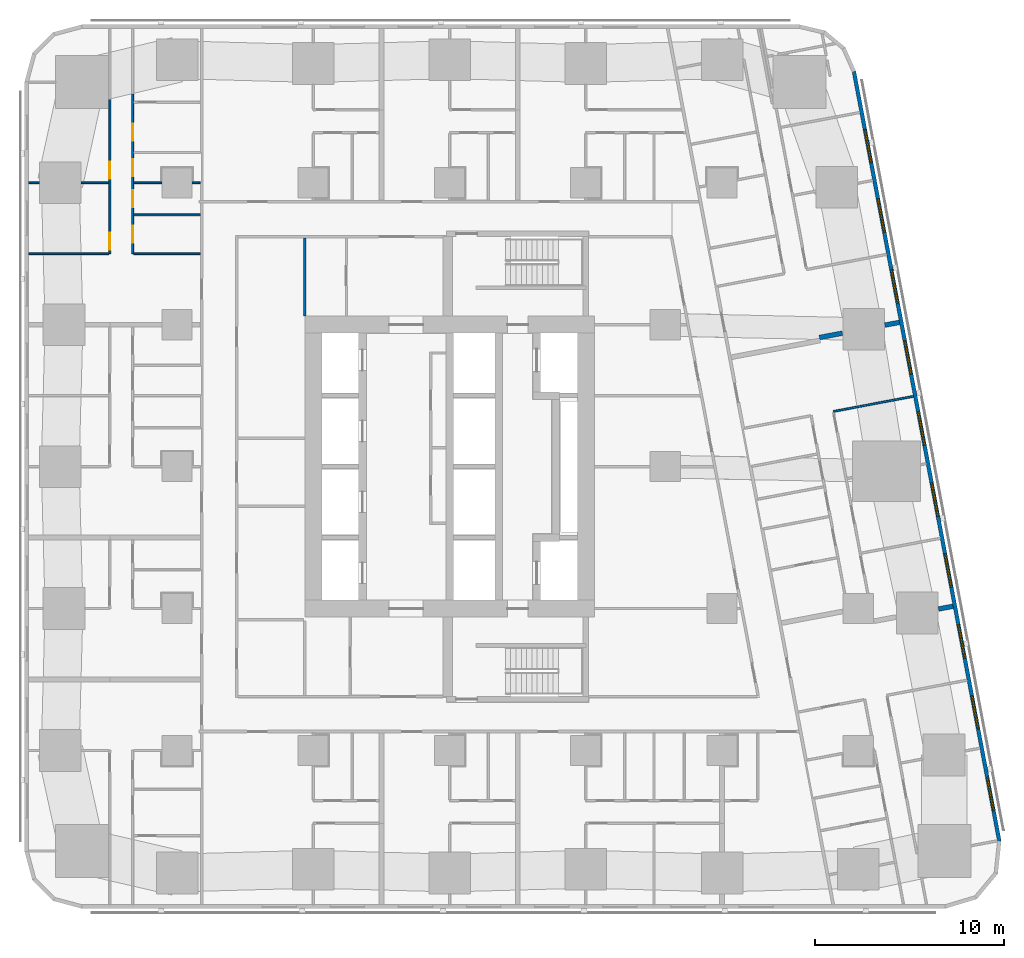
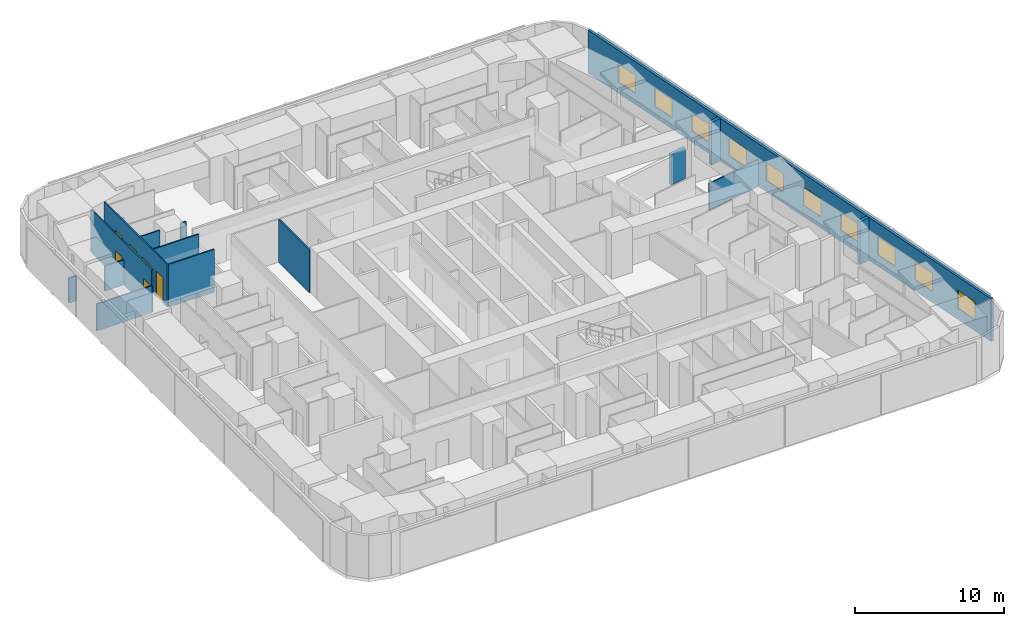
# One storey, part 9 of 16: 15 walls, 10 windows, 6 doors, 16 openings.
"""IFC4 building model written with IfcOpenShell, lengths in metres."""

from ifc_helpers import new_model, si_unit, direction, frame, frame_2d, origin, place, context, subcontext, project, spatial, rectangle, extrude, material, layer, layer_set, type_object, element, fill, save


model = new_model("IFC4")

# Units and contexts
model_context = context("Model", 3, precision=1e-05, world=origin(), true_north=direction((0.0, 1.0)))
body_context = subcontext(model_context, "Body", "Model", "MODEL_VIEW")
ifc_project = project(units=[si_unit("LENGTHUNIT", "METRE"), si_unit("AREAUNIT", "SQUARE_METRE"), si_unit("VOLUMEUNIT", "CUBIC_METRE"), si_unit("PLANEANGLEUNIT", "RADIAN"), si_unit("MASSUNIT", "GRAM", prefix="KILO")], contexts=[model_context])

# Site, building, storey
site_placement = place(None, origin())
site = spatial("IfcSite", under=ifc_project, at=site_placement, CompositionType="ELEMENT")
building_placement = place(site_placement, origin())
building = spatial("IfcBuilding", under=site, at=building_placement, Name="Sheger Commons Tower", CompositionType="ELEMENT")
storey_placement = place(building_placement, frame((0.0, 0.0, 89.14990234375)))
storey = spatial("IfcBuildingStorey", under=building, at=storey_placement, Name="L22", CompositionType="ELEMENT", Elevation=89.14990234375)

# Walls
ifc_material_1 = material(Name="Dense concrete block masonry, plastered both sides (separating wall between flats)", Category="masonry")
ifc_layer_1 = layer(ifc_material_1, 0.25)
ifc_layer_set_1 = layer_set([ifc_layer_1], Name="DEMISING WALL 250")
wall_type_1 = type_object("IfcWallType", Name="DEMISING WALL 250", PredefinedType="SOLIDWALL", material=ifc_layer_set_1)
wall_1_placement = place(storey_placement, frame((45.3720703125, 30.12109375, 0.0), z_axis=(0.0, 0.0, 1.0), x_axis=(-0.982638023929, -0.185533053469, 0.0)))
element("IfcWall", 1, at=wall_1_placement, inside=storey, type_object=wall_type_1, Name="Demising wall L22", PredefinedType="SOLIDWALL", context=body_context, shape_type="SweptSolid", body=[
    extrude(rectangle(XDim=0.78173828125, YDim=0.25, at=frame_2d((0.390869140625, 0.0))), origin(), (0.0, 0.0, 1.0), 3.5),
])
wall_2_placement = place(storey_placement, frame((42.35595703125, 29.551025390625, 0.0), z_axis=(0.0, 0.0, 1.0), x_axis=(-0.982529084329, -0.186109103615, 0.0)))
element("IfcWall", 2, at=wall_2_placement, inside=storey, type_object=wall_type_1, Name="Demising wall L22", PredefinedType="SOLIDWALL", context=body_context, shape_type="SweptSolid", body=[
    extrude(rectangle(XDim=1.23046875, YDim=0.25, at=frame_2d((0.615234375, 0.0))), origin(), (0.0, 0.0, 1.0), 2.5),
])
wall_3_placement = place(storey_placement, frame((48.2060546875, 15.1201171875, 0.0), z_axis=(0.0, 0.0, 1.0), x_axis=(-0.982638023929, -0.185533053469, 0.0)))
element("IfcWall", 3, at=wall_3_placement, inside=storey, type_object=wall_type_1, Name="Demising wall L22", PredefinedType="SOLIDWALL", context=body_context, shape_type="SweptSolid", body=[
    extrude(rectangle(XDim=0.78173828125, YDim=0.25, at=frame_2d((0.390869140625, 0.0))), origin(), (0.0, 0.0, 1.0), 3.5),
])

# Wall, openings, windows
ifc_material_2 = material(Name="Rendered concrete block masonry, dark grey", Category="masonry")
ifc_layer_2 = layer(ifc_material_2, 0.199951171875)
ifc_layer_set_2 = layer_set([ifc_layer_2], Name="FACADE WALL 200")
wall_type_2 = type_object("IfcWallType", Name="FACADE WALL 200", PredefinedType="SOLIDWALL", material=ifc_layer_set_2)
wall_4_placement = place(storey_placement, frame((50.653076171875, 2.702880859375, 0.0), z_axis=(0.0, 0.0, 1.0), x_axis=(-0.185612026696, 0.982623109613, 0.0)))
wall_4 = element("IfcWall", 4, at=wall_4_placement, inside=storey, type_object=wall_type_2, Name="Facade wall L22", PredefinedType="SOLIDWALL", context=body_context, shape_type="SweptSolid", body=[
    extrude(rectangle(XDim=41.393310546875, YDim=0.199951171875, at=frame_2d((20.69677734375, 0.0))), origin(), (0.0, 0.0, 1.0), 3.5),
])
opening_1_placement = place(wall_4_placement, frame((1.633056640625, 0.0, 0.89990234375)))
opening_1 = element("IfcOpeningElement", 5, at=opening_1_placement, cuts=wall_4, Name="Opening W2", PredefinedType="OPENING", context=body_context, shape_type="SweptSolid", body=[
    extrude(rectangle(XDim=1.800048828125, YDim=1.5, at=frame_2d((0.89990234375, 0.75))), frame((0.0, 0.10986328125, 0.0), z_axis=(0.0, -1.0, 0.0), x_axis=(1.0, 0.0, 0.0)), (0.0, 0.0, 1.0), 0.219970703125),
])
opening_2_placement = place(wall_4_placement, frame((6.031982421875, 0.0, 0.89990234375)))
opening_2 = element("IfcOpeningElement", 6, at=opening_2_placement, cuts=wall_4, Name="Opening W2", PredefinedType="OPENING", context=body_context, shape_type="SweptSolid", body=[
    extrude(rectangle(XDim=1.800048828125, YDim=1.5, at=frame_2d((0.89990234375, 0.75))), frame((0.0, 0.10986328125, 0.0), z_axis=(0.0, -1.0, 0.0), x_axis=(1.0, 0.0, 0.0)), (0.0, 0.0, 1.0), 0.219970703125),
])
opening_3_placement = place(wall_4_placement, frame((9.847900390625, 0.0, 0.89990234375)))
opening_3 = element("IfcOpeningElement", 7, at=opening_3_placement, cuts=wall_4, Name="Opening W2", PredefinedType="OPENING", context=body_context, shape_type="SweptSolid", body=[
    extrude(rectangle(XDim=1.800048828125, YDim=1.5, at=frame_2d((0.89990234375, 0.75))), frame((0.0, 0.10986328125, 0.0), z_axis=(0.0, -1.0, 0.0), x_axis=(1.0, 0.0, 0.0)), (0.0, 0.0, 1.0), 0.219970703125),
])
opening_4_placement = place(wall_4_placement, frame((13.6640625, 0.0, 0.89990234375)))
opening_4 = element("IfcOpeningElement", 8, at=opening_4_placement, cuts=wall_4, Name="Opening W2", PredefinedType="OPENING", context=body_context, shape_type="SweptSolid", body=[
    extrude(rectangle(XDim=1.800048828125, YDim=1.5, at=frame_2d((0.89990234375, 0.75))), frame((0.0, 0.10986328125, 0.0), z_axis=(0.0, -1.0, 0.0), x_axis=(1.0, 0.0, 0.0)), (0.0, 0.0, 1.0), 0.219970703125),
])
opening_5_placement = place(wall_4_placement, frame((17.48095703125, 0.0, 0.89990234375)))
opening_5 = element("IfcOpeningElement", 9, at=opening_5_placement, cuts=wall_4, Name="Opening W2", PredefinedType="OPENING", context=body_context, shape_type="SweptSolid", body=[
    extrude(rectangle(XDim=1.800048828125, YDim=1.5, at=frame_2d((0.89990234375, 0.75))), frame((0.0, 0.10986328125, 0.0), z_axis=(0.0, -1.0, 0.0), x_axis=(1.0, 0.0, 0.0)), (0.0, 0.0, 1.0), 0.219970703125),
])
opening_6_placement = place(wall_4_placement, frame((21.297119140625, 0.0, 0.89990234375)))
opening_6 = element("IfcOpeningElement", 10, at=opening_6_placement, cuts=wall_4, Name="Opening W2", PredefinedType="OPENING", context=body_context, shape_type="SweptSolid", body=[
    extrude(rectangle(XDim=1.800048828125, YDim=1.5, at=frame_2d((0.89990234375, 0.75))), frame((0.0, 0.10986328125, 0.0), z_axis=(0.0, -1.0, 0.0), x_axis=(1.0, 0.0, 0.0)), (0.0, 0.0, 1.0), 0.219970703125),
])
opening_7_placement = place(wall_4_placement, frame((25.113037109375, 0.0, 0.89990234375)))
opening_7 = element("IfcOpeningElement", 11, at=opening_7_placement, cuts=wall_4, Name="Opening W2", PredefinedType="OPENING", context=body_context, shape_type="SweptSolid", body=[
    extrude(rectangle(XDim=1.800048828125, YDim=1.5, at=frame_2d((0.89990234375, 0.75))), frame((0.0, 0.10986328125, 0.0), z_axis=(0.0, -1.0, 0.0), x_axis=(1.0, 0.0, 0.0)), (0.0, 0.0, 1.0), 0.219970703125),
])
opening_8_placement = place(wall_4_placement, frame((28.929931640625, 0.0, 0.89990234375)))
opening_8 = element("IfcOpeningElement", 12, at=opening_8_placement, cuts=wall_4, Name="Opening W2", PredefinedType="OPENING", context=body_context, shape_type="SweptSolid", body=[
    extrude(rectangle(XDim=1.800048828125, YDim=1.5, at=frame_2d((0.89990234375, 0.75))), frame((0.0, 0.10986328125, 0.0), z_axis=(0.0, -1.0, 0.0), x_axis=(1.0, 0.0, 0.0)), (0.0, 0.0, 1.0), 0.219970703125),
])
opening_9_placement = place(wall_4_placement, frame((32.74609375, 0.0, 0.89990234375)))
opening_9 = element("IfcOpeningElement", 13, at=opening_9_placement, cuts=wall_4, Name="Opening W2", PredefinedType="OPENING", context=body_context, shape_type="SweptSolid", body=[
    extrude(rectangle(XDim=1.800048828125, YDim=1.5, at=frame_2d((0.89990234375, 0.75))), frame((0.0, 0.10986328125, 0.0), z_axis=(0.0, -1.0, 0.0), x_axis=(1.0, 0.0, 0.0)), (0.0, 0.0, 1.0), 0.219970703125),
])
opening_10_placement = place(wall_4_placement, frame((36.48095703125, 0.0, 0.89990234375)))
opening_10 = element("IfcOpeningElement", 14, at=opening_10_placement, cuts=wall_4, Name="Opening W2", PredefinedType="OPENING", context=body_context, shape_type="SweptSolid", body=[
    extrude(rectangle(XDim=1.800048828125, YDim=1.5, at=frame_2d((0.89990234375, 0.75))), frame((0.0, 0.10986328125, 0.0), z_axis=(0.0, -1.0, 0.0), x_axis=(1.0, 0.0, 0.0)), (0.0, 0.0, 1.0), 0.219970703125),
])
ifc_material_3 = material(Name="Black aluminium frame, dark tinted double glazing", Category="aluminium")
window_type = type_object("IfcWindowType", Name="WINDOW W2 1800x1500", PartitioningType="SINGLE_PANEL", PredefinedType="WINDOW", material=ifc_material_3)
window_1_placement = place(opening_1_placement, origin())
window_1 = element("IfcWindow", 15, at=window_1_placement, inside=storey, type_object=window_type, Name="Window W2 1800X1500", OverallHeight=1.5, OverallWidth=1.800048828125, PartitioningType="SINGLE_PANEL", PredefinedType="WINDOW", context=body_context, shape_type="SweptSolid", body=[
    extrude(rectangle(XDim=1.800048828125, YDim=1.5, at=frame_2d((0.89990234375, 0.75))), frame((0.0, 0.030029296875, 0.0), z_axis=(0.0, -1.0, 0.0), x_axis=(1.0, 0.0, 0.0)), (0.0, 0.0, 1.0), 0.06005859375),
])
fill(opening_1, window_1)
window_2_placement = place(opening_2_placement, origin())
window_2 = element("IfcWindow", 16, at=window_2_placement, inside=storey, type_object=window_type, Name="Window W2 1800X1500", OverallHeight=1.5, OverallWidth=1.800048828125, PartitioningType="SINGLE_PANEL", PredefinedType="WINDOW", context=body_context, shape_type="SweptSolid", body=[
    extrude(rectangle(XDim=1.800048828125, YDim=1.5, at=frame_2d((0.89990234375, 0.75))), frame((0.0, 0.030029296875, 0.0), z_axis=(0.0, -1.0, 0.0), x_axis=(1.0, 0.0, 0.0)), (0.0, 0.0, 1.0), 0.06005859375),
])
fill(opening_2, window_2)
window_3_placement = place(opening_3_placement, origin())
window_3 = element("IfcWindow", 17, at=window_3_placement, inside=storey, type_object=window_type, Name="Window W2 1800X1500", OverallHeight=1.5, OverallWidth=1.800048828125, PartitioningType="SINGLE_PANEL", PredefinedType="WINDOW", context=body_context, shape_type="SweptSolid", body=[
    extrude(rectangle(XDim=1.800048828125, YDim=1.5, at=frame_2d((0.89990234375, 0.75))), frame((0.0, 0.030029296875, 0.0), z_axis=(0.0, -1.0, 0.0), x_axis=(1.0, 0.0, 0.0)), (0.0, 0.0, 1.0), 0.06005859375),
])
fill(opening_3, window_3)
window_4_placement = place(opening_4_placement, origin())
window_4 = element("IfcWindow", 18, at=window_4_placement, inside=storey, type_object=window_type, Name="Window W2 1800X1500", OverallHeight=1.5, OverallWidth=1.800048828125, PartitioningType="SINGLE_PANEL", PredefinedType="WINDOW", context=body_context, shape_type="SweptSolid", body=[
    extrude(rectangle(XDim=1.800048828125, YDim=1.5, at=frame_2d((0.89990234375, 0.75))), frame((0.0, 0.030029296875, 0.0), z_axis=(0.0, -1.0, 0.0), x_axis=(1.0, 0.0, 0.0)), (0.0, 0.0, 1.0), 0.06005859375),
])
fill(opening_4, window_4)
window_5_placement = place(opening_5_placement, origin())
window_5 = element("IfcWindow", 19, at=window_5_placement, inside=storey, type_object=window_type, Name="Window W2 1800X1500", OverallHeight=1.5, OverallWidth=1.800048828125, PartitioningType="SINGLE_PANEL", PredefinedType="WINDOW", context=body_context, shape_type="SweptSolid", body=[
    extrude(rectangle(XDim=1.800048828125, YDim=1.5, at=frame_2d((0.89990234375, 0.75))), frame((0.0, 0.030029296875, 0.0), z_axis=(0.0, -1.0, 0.0), x_axis=(1.0, 0.0, 0.0)), (0.0, 0.0, 1.0), 0.06005859375),
])
fill(opening_5, window_5)
window_6_placement = place(opening_6_placement, origin())
window_6 = element("IfcWindow", 20, at=window_6_placement, inside=storey, type_object=window_type, Name="Window W2 1800X1500", OverallHeight=1.5, OverallWidth=1.800048828125, PartitioningType="SINGLE_PANEL", PredefinedType="WINDOW", context=body_context, shape_type="SweptSolid", body=[
    extrude(rectangle(XDim=1.800048828125, YDim=1.5, at=frame_2d((0.89990234375, 0.75))), frame((0.0, 0.030029296875, 0.0), z_axis=(0.0, -1.0, 0.0), x_axis=(1.0, 0.0, 0.0)), (0.0, 0.0, 1.0), 0.06005859375),
])
fill(opening_6, window_6)
window_7_placement = place(opening_7_placement, origin())
window_7 = element("IfcWindow", 21, at=window_7_placement, inside=storey, type_object=window_type, Name="Window W2 1800X1500", OverallHeight=1.5, OverallWidth=1.800048828125, PartitioningType="SINGLE_PANEL", PredefinedType="WINDOW", context=body_context, shape_type="SweptSolid", body=[
    extrude(rectangle(XDim=1.800048828125, YDim=1.5, at=frame_2d((0.89990234375, 0.75))), frame((0.0, 0.030029296875, 0.0), z_axis=(0.0, -1.0, 0.0), x_axis=(1.0, 0.0, 0.0)), (0.0, 0.0, 1.0), 0.06005859375),
])
fill(opening_7, window_7)
window_8_placement = place(opening_8_placement, origin())
window_8 = element("IfcWindow", 22, at=window_8_placement, inside=storey, type_object=window_type, Name="Window W2 1800X1500", OverallHeight=1.5, OverallWidth=1.800048828125, PartitioningType="SINGLE_PANEL", PredefinedType="WINDOW", context=body_context, shape_type="SweptSolid", body=[
    extrude(rectangle(XDim=1.800048828125, YDim=1.5, at=frame_2d((0.89990234375, 0.75))), frame((0.0, 0.030029296875, 0.0), z_axis=(0.0, -1.0, 0.0), x_axis=(1.0, 0.0, 0.0)), (0.0, 0.0, 1.0), 0.06005859375),
])
fill(opening_8, window_8)
window_9_placement = place(opening_9_placement, origin())
window_9 = element("IfcWindow", 23, at=window_9_placement, inside=storey, type_object=window_type, Name="Window W2 1800X1500", OverallHeight=1.5, OverallWidth=1.800048828125, PartitioningType="SINGLE_PANEL", PredefinedType="WINDOW", context=body_context, shape_type="SweptSolid", body=[
    extrude(rectangle(XDim=1.800048828125, YDim=1.5, at=frame_2d((0.89990234375, 0.75))), frame((0.0, 0.030029296875, 0.0), z_axis=(0.0, -1.0, 0.0), x_axis=(1.0, 0.0, 0.0)), (0.0, 0.0, 1.0), 0.06005859375),
])
fill(opening_9, window_9)
window_10_placement = place(opening_10_placement, origin())
window_10 = element("IfcWindow", 24, at=window_10_placement, inside=storey, type_object=window_type, Name="Window W2 1800X1500", OverallHeight=1.5, OverallWidth=1.800048828125, PartitioningType="SINGLE_PANEL", PredefinedType="WINDOW", context=body_context, shape_type="SweptSolid", body=[
    extrude(rectangle(XDim=1.800048828125, YDim=1.5, at=frame_2d((0.89990234375, 0.75))), frame((0.0, 0.030029296875, 0.0), z_axis=(0.0, -1.0, 0.0), x_axis=(1.0, 0.0, 0.0)), (0.0, 0.0, 1.0), 0.06005859375),
])
fill(opening_10, window_10)

# Wall, openings, doors
ifc_material_4 = material(Name="Gypsum board on steel studs", Category="steel")
ifc_layer_3 = layer(ifc_material_4, 0.10009765625)
ifc_layer_set_3 = layer_set([ifc_layer_3], Name="PARTITION 100")
wall_type_3 = type_object("IfcWallType", Name="PARTITION 100", PredefinedType="PARTITIONING", material=ifc_layer_set_3)
wall_5_placement = place(storey_placement, frame((3.64990234375, 33.75, 0.0), z_axis=(0.0, 0.0, 1.0), x_axis=(0.0, 1.0, 0.0)))
wall_5 = element("IfcWall", 25, at=wall_5_placement, inside=storey, type_object=wall_type_3, Name="Partition L22", PredefinedType="PARTITIONING", context=body_context, shape_type="SweptSolid", body=[
    extrude(rectangle(XDim=8.1650390625, YDim=0.10009765625, at=frame_2d((4.08251953125, 0.0))), origin(), (0.0, 0.0, 1.0), 3.5),
])
opening_11_placement = place(wall_5_placement, frame((0.199951171875, 0.0, 0.0)))
opening_11 = element("IfcOpeningElement", 26, at=opening_11_placement, cuts=wall_5, Name="Opening D2", PredefinedType="OPENING", context=body_context, shape_type="SweptSolid", body=[
    extrude(rectangle(XDim=0.89990234375, YDim=2.10009765625, at=frame_2d((0.449951171875, 1.050048828125))), frame((0.0, 0.06005859375, 0.0), z_axis=(0.0, -1.0, 0.0), x_axis=(1.0, 0.0, 0.0)), (0.0, 0.0, 1.0), 0.1201171875),
])
opening_12_placement = place(wall_5_placement, frame((3.949951171875, 0.0, 0.0)))
opening_12 = element("IfcOpeningElement", 27, at=opening_12_placement, cuts=wall_5, Name="Opening D2", PredefinedType="OPENING", context=body_context, shape_type="SweptSolid", body=[
    extrude(rectangle(XDim=0.89990234375, YDim=2.10009765625, at=frame_2d((0.449951171875, 1.050048828125))), frame((0.0, 0.06005859375, 0.0), z_axis=(0.0, -1.0, 0.0), x_axis=(1.0, 0.0, 0.0)), (0.0, 0.0, 1.0), 0.1201171875),
])
ifc_material_5 = material(Name="Timber door set", Category="wood")
door_type = type_object("IfcDoorType", Name="INTERNAL DOOR 900x2100", OperationType="NOTDEFINED", PredefinedType="DOOR", material=ifc_material_5)
door_1_placement = place(opening_11_placement, origin())
door_1 = element("IfcDoor", 28, at=door_1_placement, inside=storey, type_object=door_type, Name="Main bedroom door", OperationType="SINGLE_SWING_LEFT", OverallHeight=2.10009765625, OverallWidth=0.89990234375, PredefinedType="DOOR", context=body_context, shape_type="SweptSolid", body=[
    extrude(rectangle(XDim=0.89990234375, YDim=2.10009765625, at=frame_2d((0.449951171875, 1.050048828125))), frame((0.0, 0.02490234375, 0.0), z_axis=(0.0, -1.0, 0.0), x_axis=(1.0, 0.0, 0.0)), (0.0, 0.0, 1.0), 0.050048828125),
])
fill(opening_11, door_1)
door_2_placement = place(opening_12_placement, origin())
door_2 = element("IfcDoor", 29, at=door_2_placement, inside=storey, type_object=door_type, Name="Bedroom 2 door", OperationType="SINGLE_SWING_LEFT", OverallHeight=2.10009765625, OverallWidth=0.89990234375, PredefinedType="DOOR", context=body_context, shape_type="SweptSolid", body=[
    extrude(rectangle(XDim=0.89990234375, YDim=2.10009765625, at=frame_2d((0.449951171875, 1.050048828125))), frame((0.0, 0.02490234375, 0.0), z_axis=(0.0, -1.0, 0.0), x_axis=(1.0, 0.0, 0.0)), (0.0, 0.0, 1.0), 0.050048828125),
])
fill(opening_12, door_2)

wall_6_placement = place(storey_placement, frame((4.85009765625, 33.75, 0.0), z_axis=(0.0, 0.0, 1.0), x_axis=(0.0, 1.0, 0.0)))
wall_6 = element("IfcWall", 30, at=wall_6_placement, inside=storey, type_object=wall_type_3, Name="Partition L22", PredefinedType="PARTITIONING", context=body_context, shape_type="SweptSolid", body=[
    extrude(rectangle(XDim=8.448974609375, YDim=0.10009765625, at=frame_2d((4.224609375, 0.0))), origin(), (0.0, 0.0, 1.0), 3.5),
])
opening_13_placement = place(wall_6_placement, frame((0.574951171875, 0.0, 0.0)))
opening_13 = element("IfcOpeningElement", 31, at=opening_13_placement, cuts=wall_6, Name="Opening D2", PredefinedType="OPENING", context=body_context, shape_type="SweptSolid", body=[
    extrude(rectangle(XDim=0.89990234375, YDim=2.10009765625, at=frame_2d((0.449951171875, 1.050048828125))), frame((0.0, 0.06005859375, 0.0), z_axis=(0.0, -1.0, 0.0), x_axis=(1.0, 0.0, 0.0)), (0.0, 0.0, 1.0), 0.1201171875),
])
opening_14_placement = place(wall_6_placement, frame((4.10009765625, 0.0, 0.0)))
opening_14 = element("IfcOpeningElement", 32, at=opening_14_placement, cuts=wall_6, Name="Opening D2", PredefinedType="OPENING", context=body_context, shape_type="SweptSolid", body=[
    extrude(rectangle(XDim=0.89990234375, YDim=2.10009765625, at=frame_2d((0.449951171875, 1.050048828125))), frame((0.0, 0.06005859375, 0.0), z_axis=(0.0, -1.0, 0.0), x_axis=(1.0, 0.0, 0.0)), (0.0, 0.0, 1.0), 0.1201171875),
])
opening_15_placement = place(wall_6_placement, frame((2.449951171875, 0.0, 0.0)))
opening_15 = element("IfcOpeningElement", 33, at=opening_15_placement, cuts=wall_6, Name="Opening D2", PredefinedType="OPENING", context=body_context, shape_type="SweptSolid", body=[
    extrude(rectangle(XDim=0.89990234375, YDim=2.10009765625, at=frame_2d((0.449951171875, 1.050048828125))), frame((0.0, 0.06005859375, 0.0), z_axis=(0.0, -1.0, 0.0), x_axis=(1.0, 0.0, 0.0)), (0.0, 0.0, 1.0), 0.1201171875),
])
opening_16_placement = place(wall_6_placement, frame((5.97509765625, 0.0, 0.0)))
opening_16 = element("IfcOpeningElement", 34, at=opening_16_placement, cuts=wall_6, Name="Opening D2", PredefinedType="OPENING", context=body_context, shape_type="SweptSolid", body=[
    extrude(rectangle(XDim=0.89990234375, YDim=2.10009765625, at=frame_2d((0.449951171875, 1.050048828125))), frame((0.0, 0.06005859375, 0.0), z_axis=(0.0, -1.0, 0.0), x_axis=(1.0, 0.0, 0.0)), (0.0, 0.0, 1.0), 0.1201171875),
])
door_3_placement = place(opening_13_placement, origin())
door_3 = element("IfcDoor", 35, at=door_3_placement, inside=storey, type_object=door_type, Name="Bathroom door", OperationType="SINGLE_SWING_RIGHT", OverallHeight=2.10009765625, OverallWidth=0.89990234375, PredefinedType="DOOR", context=body_context, shape_type="SweptSolid", body=[
    extrude(rectangle(XDim=0.89990234375, YDim=2.10009765625, at=frame_2d((0.449951171875, 1.050048828125))), frame((0.0, 0.02490234375, 0.0), z_axis=(0.0, -1.0, 0.0), x_axis=(1.0, 0.0, 0.0)), (0.0, 0.0, 1.0), 0.050048828125),
])
fill(opening_13, door_3)
door_4_placement = place(opening_14_placement, origin())
door_4 = element("IfcDoor", 36, at=door_4_placement, inside=storey, type_object=door_type, Name="Shower room door", OperationType="SINGLE_SWING_LEFT", OverallHeight=2.10009765625, OverallWidth=0.89990234375, PredefinedType="DOOR", context=body_context, shape_type="SweptSolid", body=[
    extrude(rectangle(XDim=0.89990234375, YDim=2.10009765625, at=frame_2d((0.449951171875, 1.050048828125))), frame((0.0, 0.02490234375, 0.0), z_axis=(0.0, -1.0, 0.0), x_axis=(1.0, 0.0, 0.0)), (0.0, 0.0, 1.0), 0.050048828125),
])
fill(opening_14, door_4)
door_5_placement = place(opening_15_placement, origin())
door_5 = element("IfcDoor", 37, at=door_5_placement, inside=storey, type_object=door_type, Name="Store door", OperationType="SINGLE_SWING_RIGHT", OverallHeight=2.10009765625, OverallWidth=0.89990234375, PredefinedType="DOOR", context=body_context, shape_type="SweptSolid", body=[
    extrude(rectangle(XDim=0.89990234375, YDim=2.10009765625, at=frame_2d((0.449951171875, 1.050048828125))), frame((0.0, 0.02490234375, 0.0), z_axis=(0.0, -1.0, 0.0), x_axis=(1.0, 0.0, 0.0)), (0.0, 0.0, 1.0), 0.050048828125),
])
fill(opening_15, door_5)
door_6_placement = place(opening_16_placement, origin())
door_6 = element("IfcDoor", 38, at=door_6_placement, inside=storey, type_object=door_type, Name="Store door", OperationType="SINGLE_SWING_RIGHT", OverallHeight=2.10009765625, OverallWidth=0.89990234375, PredefinedType="DOOR", context=body_context, shape_type="SweptSolid", body=[
    extrude(rectangle(XDim=0.89990234375, YDim=2.10009765625, at=frame_2d((0.449951171875, 1.050048828125))), frame((0.0, 0.02490234375, 0.0), z_axis=(0.0, -1.0, 0.0), x_axis=(1.0, 0.0, 0.0)), (0.0, 0.0, 1.0), 0.050048828125),
])
fill(opening_16, door_6)

# Walls
wall_7_placement = place(storey_placement, frame((-0.64990234375, 33.75, 0.0), z_axis=(0.0, 0.0, 1.0), x_axis=(1.0, 0.0, 0.0)))
element("IfcWall", 39, at=wall_7_placement, inside=storey, type_object=wall_type_3, Name="Partition L22", PredefinedType="PARTITIONING", context=body_context, shape_type="SweptSolid", body=[
    extrude(rectangle(XDim=4.25, YDim=0.10009765625, at=frame_2d((2.125, 0.0))), origin(), (0.0, 0.0, 1.0), 2.2001953125),
])
wall_8_placement = place(storey_placement, frame((-0.64990234375, 37.5, 0.0), z_axis=(0.0, 0.0, 1.0), x_axis=(1.0, 0.0, 0.0)))
element("IfcWall", 40, at=wall_8_placement, inside=storey, type_object=wall_type_3, Name="Partition L22", PredefinedType="PARTITIONING", context=body_context, shape_type="SweptSolid", body=[
    extrude(rectangle(XDim=0.573974609375, YDim=0.10009765625, at=frame_2d((0.287109375, 0.0))), origin(), (0.0, 0.0, 1.0), 2.050048828125),
])
wall_9_placement = place(storey_placement, frame((2.1259765625, 37.5, 0.0), z_axis=(0.0, 0.0, 1.0), x_axis=(1.0, 0.0, 0.0)))
element("IfcWall", 41, at=wall_9_placement, inside=storey, type_object=wall_type_3, Name="Partition L22", PredefinedType="PARTITIONING", context=body_context, shape_type="SweptSolid", body=[
    extrude(rectangle(XDim=1.47412109375, YDim=0.10009765625, at=frame_2d((0.737060546875, 0.0))), origin(), (0.0, 0.0, 1.0), 2.050048828125),
])
wall_10_placement = place(storey_placement, frame((4.89990234375, 33.75, 0.0), z_axis=(0.0, 0.0, 1.0), x_axis=(1.0, 0.0, 0.0)))
element("IfcWall", 42, at=wall_10_placement, inside=storey, type_object=wall_type_3, Name="Partition L22", PredefinedType="PARTITIONING", context=body_context, shape_type="SweptSolid", body=[
    extrude(rectangle(XDim=3.525146484375, YDim=0.10009765625, at=frame_2d((1.7626953125, 0.0))), origin(), (0.0, 0.0, 1.0), 3.5),
])
wall_11_placement = place(storey_placement, frame((4.89990234375, 37.5, 0.0), z_axis=(0.0, 0.0, 1.0), x_axis=(1.0, 0.0, 0.0)))
element("IfcWall", 43, at=wall_11_placement, inside=storey, type_object=wall_type_3, Name="Partition L22", PredefinedType="PARTITIONING", context=body_context, shape_type="SweptSolid", body=[
    extrude(rectangle(XDim=1.4990234375, YDim=0.10009765625, at=frame_2d((0.74951171875, 0.0))), origin(), (0.0, 0.0, 1.0), 3.5),
])
wall_12_placement = place(storey_placement, frame((8.0009765625, 37.5, 0.0), z_axis=(0.0, 0.0, 1.0), x_axis=(1.0, 0.0, 0.0)))
element("IfcWall", 44, at=wall_12_placement, inside=storey, type_object=wall_type_3, Name="Partition L22", PredefinedType="PARTITIONING", context=body_context, shape_type="SweptSolid", body=[
    extrude(rectangle(XDim=0.424072265625, YDim=0.10009765625, at=frame_2d((0.2119140625, 0.0))), origin(), (0.0, 0.0, 1.0), 3.5),
])
wall_13_placement = place(storey_placement, frame((4.89990234375, 35.800048828125, 0.0), z_axis=(0.0, 0.0, 1.0), x_axis=(1.0, 0.0, 0.0)))
element("IfcWall", 45, at=wall_13_placement, inside=storey, type_object=wall_type_3, Name="Partition L22", PredefinedType="PARTITIONING", context=body_context, shape_type="SweptSolid", body=[
    extrude(rectangle(XDim=3.525146484375, YDim=0.10009765625, at=frame_2d((1.7626953125, 0.0))), origin(), (0.0, 0.0, 1.0), 3.5),
])
wall_14_placement = place(storey_placement, frame((46.110107421875, 26.212890625, 0.0), z_axis=(0.0, 0.0, 1.0), x_axis=(-0.982633535512, -0.185556823879, 0.0)))
element("IfcWall", 46, at=wall_14_placement, inside=storey, type_object=wall_type_3, Name="Partition L22", PredefinedType="PARTITIONING", context=body_context, shape_type="SweptSolid", body=[
    extrude(rectangle(XDim=4.2998046875, YDim=0.10009765625, at=frame_2d((2.14990234375, 0.0))), origin(), (0.0, 0.0, 1.0), 2.2001953125),
])
ifc_material_6 = material(Name="Gypsum board on steel studs, two layers each side, fire rated", Category="steel")
ifc_layer_4 = layer(ifc_material_6, 0.125)
ifc_layer_set_4 = layer_set([ifc_layer_4], Name="SERVICE WALL 125")
wall_type_4 = type_object("IfcWallType", Name="SERVICE WALL 125", PredefinedType="PARTITIONING", material=ifc_layer_set_4)
wall_15_placement = place(storey_placement, frame((13.949951171875, 30.449951171875, 0.0), z_axis=(0.0, 0.0, 1.0), x_axis=(0.0, 1.0, 0.0)))
element("IfcWall", 47, at=wall_15_placement, inside=storey, type_object=wall_type_4, Name="Service room wall L22", PredefinedType="PARTITIONING", context=body_context, shape_type="SweptSolid", body=[
    extrude(rectangle(XDim=4.136962890625, YDim=0.125, at=frame_2d((2.068359375, 0.0))), origin(), (0.0, 0.0, 1.0), 3.5),
])

save(model, "model.ifc")
